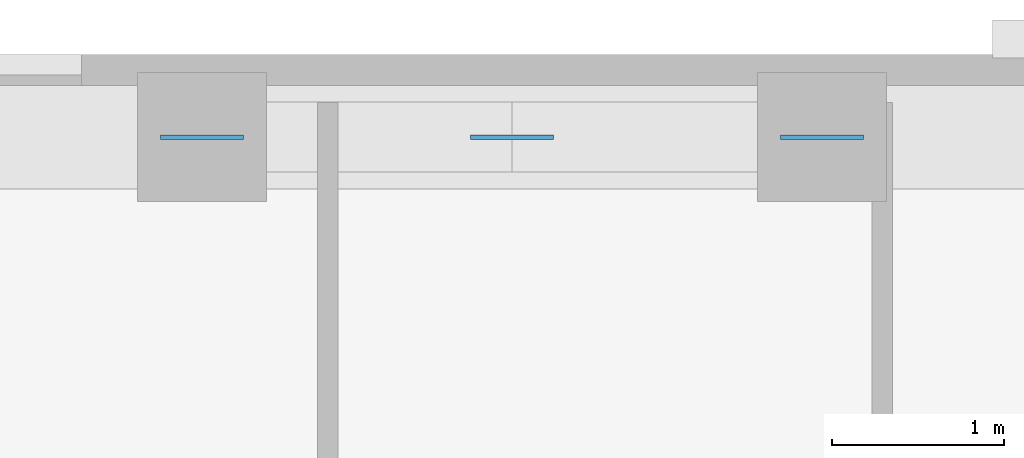
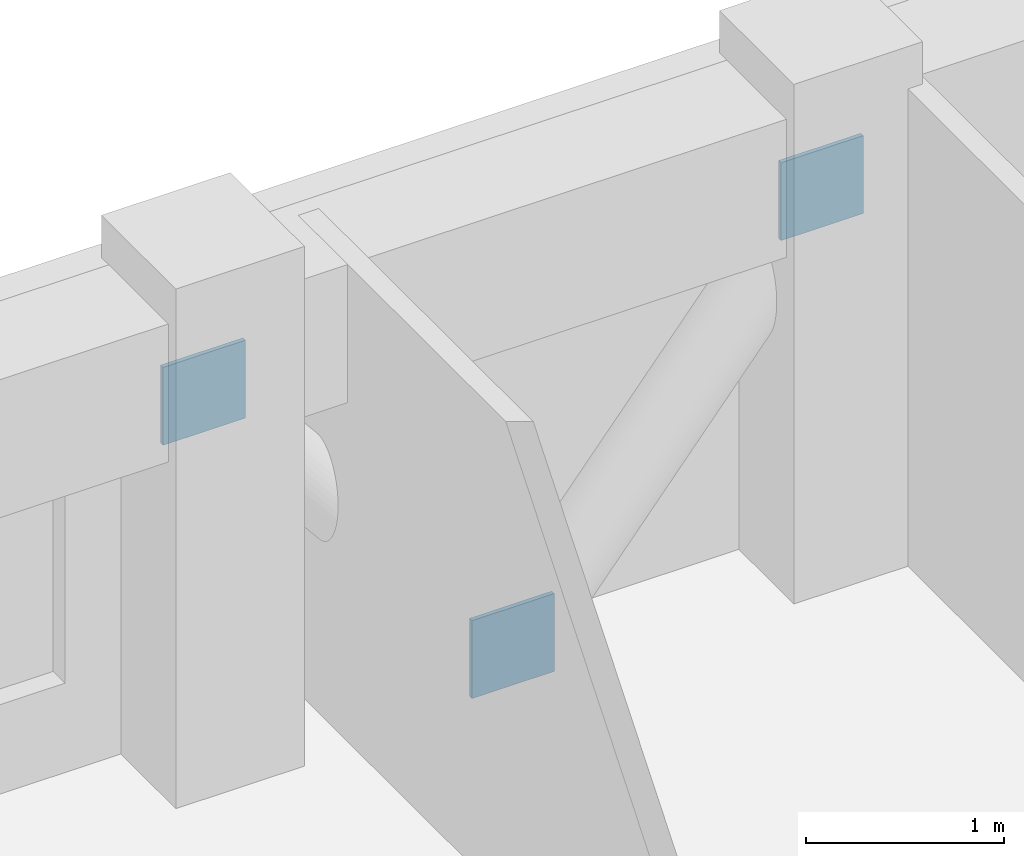
# One storey, part 11 of 13: 3 discrete accessories.
"""IFC4 building model written with IfcOpenShell, lengths in metres."""

from ifc_helpers import new_model, si_unit, derived_unit, direction, frame, origin, origin_2d, place, context, subcontext, project, spatial, rectangle, extrude, material, layer, layer_set, type_object, element, save


model = new_model("IFC4")

# Units and contexts
model_context = context("Model", 3, precision=1e-05, world=origin(), true_north=direction((0.0, 1.0)))
body_context = subcontext(model_context, "Body", "Model", "MODEL_VIEW")
ifc_project = project(units=[si_unit("LENGTHUNIT", "METRE"), si_unit("AREAUNIT", "SQUARE_METRE"), si_unit("VOLUMEUNIT", "CUBIC_METRE"), si_unit("PLANEANGLEUNIT", "RADIAN"), si_unit("MASSUNIT", "GRAM", prefix="KILO"), derived_unit("THERMALTRANSMITTANCEUNIT", [(si_unit("MASSUNIT", "GRAM", prefix="KILO"), 1), (si_unit("TIMEUNIT", "SECOND"), -3), (si_unit("THERMODYNAMICTEMPERATUREUNIT", "KELVIN"), -1)])], contexts=[model_context])

# Site, building, storey
site_placement = place(None, origin())
site = spatial("IfcSite", under=ifc_project, at=site_placement, CompositionType="ELEMENT")
building_placement = place(site_placement, origin())
building = spatial("IfcBuilding", under=site, at=building_placement, Name="Korrvale Station Residences", CompositionType="ELEMENT")
storey_placement = place(building_placement, frame((0.0, 0.0, 97.5)))
storey = spatial("IfcBuildingStorey", under=building, at=storey_placement, Name="L27", CompositionType="ELEMENT", Elevation=97.5)

# Discrete accessories
ifc_material = material(Name="Steel S355", Category="steel")
ifc_layer = layer(ifc_material, 0.02490234375, Name="Steel S355")
ifc_layer_set = layer_set([ifc_layer], Name="Steel S355")
discrete_accessory_type = type_object("IfcDiscreteAccessoryType", Name="ACC-GUSSET-25", PredefinedType="BRACKET", material=ifc_layer_set)
for number, where, z_axis, x_axis, name in (
    (1, (25.0, 42.820068359375, -0.219970703125), (0.0, 0.0, 1.0), (1.0, 0.0, 0.0), "L27 N Brace End Gusset Connection M"),
    (2, (23.199951171875, 42.820068359375, 1.969970703125), (0.0, 0.0, 1.0), (1.0, 0.0, 0.0), "L27 N Brace End Gusset Connection A"),
    (3, (26.800048828125, 42.820068359375, 1.969970703125), (0.0, 0.0, 1.0), (1.0, 0.0, 0.0), "L27 N Brace End Gusset Connection B"),
):
    element("IfcDiscreteAccessory", number, at=place(storey_placement, frame(where, z_axis=z_axis, x_axis=x_axis)), inside=storey, type_object=discrete_accessory_type, Name=name, PredefinedType="BRACKET", context=body_context, shape_type="SweptSolid", body=[
        extrude(rectangle(XDim=0.47998046875, YDim=0.02490234375, at=origin_2d()), origin(), (0.0, 0.0, 1.0), 0.47998046875),
    ])

save(model, "model.ifc")
